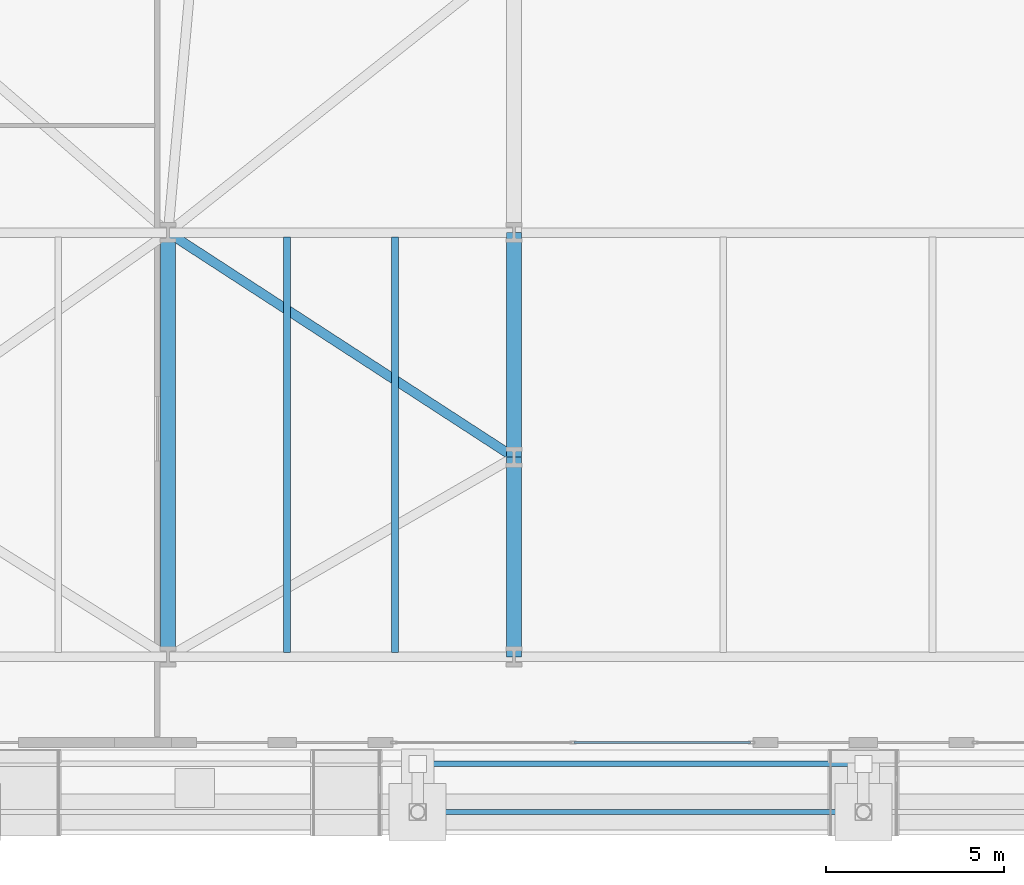
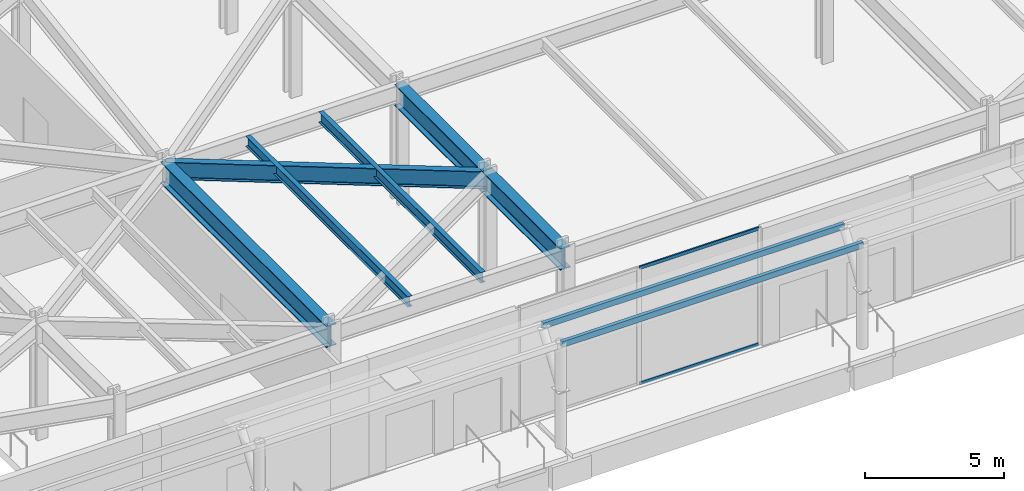
# One storey, part 6 of 31: 6 beams, 4 members, 1 element without a shape of its own.
"""IFC4 building model written with IfcOpenShell, lengths in metres."""

from ifc_helpers import new_model, si_unit, direction, frame, origin, origin_2d, place, context, subcontext, project, spatial, hollow_rectangle, i_section, extrude, material, layer, layer_set, material_profile, profile_set, type_object, element, aggregate, save


model = new_model("IFC4")

# Units and contexts
model_context = context("Model", 3, precision=1e-05, world=origin(), true_north=direction((0.0, 1.0)))
body_context = subcontext(model_context, "Body", "Model", "MODEL_VIEW")
ifc_project = project(units=[si_unit("LENGTHUNIT", "METRE"), si_unit("AREAUNIT", "SQUARE_METRE"), si_unit("VOLUMEUNIT", "CUBIC_METRE"), si_unit("PLANEANGLEUNIT", "RADIAN"), si_unit("MASSUNIT", "GRAM", prefix="KILO")], contexts=[model_context])

# Site, building, storey
site_placement = place(None, origin())
site = spatial("IfcSite", under=ifc_project, at=site_placement, CompositionType="ELEMENT")
building_placement = place(site_placement, origin())
building = spatial("IfcBuilding", under=site, at=building_placement, Name="Kravanh Interchange Tower", CompositionType="ELEMENT")
storey_placement = place(building_placement, origin())
storey = spatial("IfcBuildingStorey", under=building, at=storey_placement, Name="L00", CompositionType="ELEMENT", Elevation=0.0)

# Members
ifc_material_1 = material(Name="Structural Steel S355", Category="steel")
ifc_material_profile_1 = material_profile(ifc_material_1, hollow_rectangle(XDim=0.14990234375, YDim=0.25, WallThickness=0.010009765625, at=origin_2d()), Name="HSS250X150X10")
ifc_profile_set_1 = profile_set([ifc_material_profile_1], Name="Structural Steel S355")
member_type_1 = type_object("IfcMemberType", Name="Canopy Roof Purlin HSS250X150X10 Structural Steel S355", PredefinedType="PURLIN", material=ifc_profile_set_1)
for number, where, z_axis, x_axis, name in (
    (1, (24.5, -0.39990234375, 4.47509765625), (1.0, 0.0, 0.0), (0.0, 1.0, 0.0), "Transit Canopy Purlin 3A"),
    (2, (24.5, -1.75, 4.47509765625), (1.0, 0.0, 0.0), (0.0, 1.0, 0.0), "Transit Canopy Purlin 3B"),
):
    element("IfcMember", number, at=place(storey_placement, frame(where, z_axis=z_axis, x_axis=x_axis)), inside=storey, type_object=member_type_1, Name=name, PredefinedType="PURLIN", context=body_context, shape_type="SweptSolid", body=[
        extrude(hollow_rectangle(XDim=0.14990234375, YDim=0.25, WallThickness=0.010009765625, at=origin_2d()), origin(), (0.0, 0.0, 1.0), 12.5),
    ])

# Curtain wall, members
ifc_material_2 = material(Name="Anodised Bronze Aluminium", Category="aluminium")
ifc_layer = layer(ifc_material_2, 0.179931640625)
ifc_layer_set = layer_set([ifc_layer], Name="Unitised Curtain Wall System CW-POD Podium Concourse")
curtain_wall_type = type_object("IfcCurtainWallType", Name="Unitised Curtain Wall System CW-POD Podium Concourse", PredefinedType="NOTDEFINED", material=ifc_layer_set)
curtain_wall_placement = place(storey_placement, origin())
curtain_wall = element("IfcCurtainWall", 3, at=curtain_wall_placement, inside=storey, type_object=curtain_wall_type, Name="L00 Unitised Curtain Wall CW-L00-01", PredefinedType="NOTDEFINED")
ifc_material_3 = material(Name="Anodised Bronze Aluminium", Category="aluminium")
ifc_material_profile_2 = material_profile(ifc_material_3, hollow_rectangle(XDim=0.06005859375, YDim=0.139892578125, WallThickness=0.00390625, at=origin_2d()), Name="ALU60X140X4")
ifc_profile_set_2 = profile_set([ifc_material_profile_2], Name="Anodised Bronze Aluminium")
member_type_2 = type_object("IfcMemberType", Name="Curtain Wall Transom ALU60X140X4 Bronze", PredefinedType="USERDEFINED", material=ifc_profile_set_2)
member_1_placement = place(storey_placement, frame((28.885009765625, 0.199951171875, 0.030029296875), z_axis=(1.0, 0.0, 0.0), x_axis=(0.0, 1.0, 0.0)))
member_1 = element("IfcMember", 4, at=member_1_placement, type_object=member_type_2, Name="CW-POD transom 2.1", ObjectType="TRANSOM", PredefinedType="USERDEFINED", context=body_context, shape_type="SweptSolid", body=[
    extrude(hollow_rectangle(XDim=0.06005859375, YDim=0.139892578125, WallThickness=0.00390625, at=origin_2d()), origin(), (0.0, 0.0, 1.0), 4.945068359375),
])
member_2_placement = place(storey_placement, frame((28.885009765625, 0.199951171875, 5.10009765625), z_axis=(1.0, 0.0, 0.0), x_axis=(0.0, 1.0, 0.0)))
member_2 = element("IfcMember", 5, at=member_2_placement, type_object=member_type_2, Name="CW-POD transom 2.2", ObjectType="TRANSOM", PredefinedType="USERDEFINED", context=body_context, shape_type="SweptSolid", body=[
    extrude(hollow_rectangle(XDim=0.06005859375, YDim=0.139892578125, WallThickness=0.00390625, at=origin_2d()), origin(), (0.0, 0.0, 1.0), 4.945068359375),
])
aggregate(curtain_wall, [member_1, member_2])

# Beams
ifc_material_4 = material(Name="Structural Steel S450", Category="steel")
ifc_material_profile_3 = material_profile(ifc_material_4, i_section(OverallWidth=0.423095703125, OverallDepth=0.947998046875, WebThickness=0.02392578125, FlangeThickness=0.042724609375, FilletRadius=0.028076171875, at=origin_2d()), Name="W36X302")
ifc_profile_set_3 = profile_set([ifc_material_profile_3], Name="Structural Steel S450")
beam_type_1 = type_object("IfcBeamType", Name="Floor Beam W36X302 Structural Steel S450", PredefinedType="BEAM", material=ifc_profile_set_3)
beam_1_placement = place(storey_placement, frame((17.5, 2.60009765625, 4.656005859375), z_axis=(0.0, 1.0, 0.0), x_axis=(-1.0, 0.0, 0.0)))
element("IfcBeam", 6, at=beam_1_placement, inside=storey, type_object=beam_type_1, Name="L00 Primary Floor Girder 7", PredefinedType="BEAM", context=body_context, shape_type="SweptSolid", body=[
    extrude(i_section(OverallWidth=0.423095703125, OverallDepth=0.947998046875, WebThickness=0.02392578125, FlangeThickness=0.042724609375, FilletRadius=0.028076171875, at=origin_2d()), origin(), (0.0, 0.0, 1.0), 11.89990234375),
])
beam_2_placement = place(storey_placement, frame((27.199951171875, 2.60009765625, 4.656005859375), z_axis=(0.0, 1.0, 0.0), x_axis=(-1.0, 0.0, 0.0)))
element("IfcBeam", 7, at=beam_2_placement, inside=storey, type_object=beam_type_1, Name="L00 Primary Floor Girder 8", PredefinedType="BEAM", context=body_context, shape_type="SweptSolid", body=[
    extrude(i_section(OverallWidth=0.423095703125, OverallDepth=0.947998046875, WebThickness=0.02392578125, FlangeThickness=0.042724609375, FilletRadius=0.028076171875, at=origin_2d()), origin(), (0.0, 0.0, 1.0), 5.599853515625),
])
beam_3_placement = place(storey_placement, frame((27.199951171875, 8.199951171875, 4.656005859375), z_axis=(0.0, 1.0, 0.0), x_axis=(-1.0, 0.0, 0.0)))
element("IfcBeam", 8, at=beam_3_placement, inside=storey, type_object=beam_type_1, Name="L00 Primary Floor Girder 27", PredefinedType="BEAM", context=body_context, shape_type="SweptSolid", body=[
    extrude(i_section(OverallWidth=0.423095703125, OverallDepth=0.947998046875, WebThickness=0.02392578125, FlangeThickness=0.042724609375, FilletRadius=0.028076171875, at=origin_2d()), origin(), (0.0, 0.0, 1.0), 6.300048828125),
])
ifc_material_5 = material(Name="Structural Steel S355", Category="steel")
ifc_material_profile_4 = material_profile(ifc_material_5, i_section(OverallWidth=0.18994140625, OverallDepth=0.45703125, WebThickness=0.009033203125, FlangeThickness=0.014404296875, FilletRadius=0.01806640625, at=origin_2d()), Name="W18X50")
ifc_profile_set_4 = profile_set([ifc_material_profile_4], Name="Structural Steel S355")
beam_type_2 = type_object("IfcBeamType", Name="Floor Joist W18X50 Structural Steel S355", PredefinedType="JOIST", material=ifc_profile_set_4)
for number, where, z_axis, x_axis, name in (
    (9, (20.837890625, 2.728515625, 4.901611328125), (0.0, 1.0, 0.0), (-1.0, 0.0, 0.0), "L00 Secondary Floor Joist 3"),
    (10, (23.862060546875, 2.728515625, 4.901611328125), (0.0, 1.0, 0.0), (-1.0, 0.0, 0.0), "L00 Secondary Floor Joist 4"),
):
    element("IfcBeam", number, at=place(storey_placement, frame(where, z_axis=z_axis, x_axis=x_axis)), inside=storey, type_object=beam_type_2, Name=name, PredefinedType="JOIST", context=body_context, shape_type="SweptSolid", body=[
        extrude(i_section(OverallWidth=0.18994140625, OverallDepth=0.45703125, WebThickness=0.009033203125, FlangeThickness=0.014404296875, FilletRadius=0.01806640625, at=origin_2d()), origin(), (0.0, 0.0, 1.0), 11.64306640625),
    ])
ifc_material_6 = material(Name="Structural Steel S355", Category="steel")
ifc_material_profile_5 = material_profile(ifc_material_6, i_section(OverallWidth=0.26708984375, OverallDepth=0.761962890625, WebThickness=0.014404296875, FlangeThickness=0.021484375, FilletRadius=0.02490234375, at=origin_2d()), Name="W30X116")
ifc_profile_set_5 = profile_set([ifc_material_profile_5], Name="Structural Steel S355")
beam_type_3 = type_object("IfcBeamType", Name="Floor Spandrel W30X116 Structural Steel S355", PredefinedType="SPANDREL", material=ifc_profile_set_5)
beam_4_placement = place(storey_placement, frame((27.199951171875, 8.199951171875, 4.7490234375), z_axis=(-0.838637911458, 0.544689318295, 0.0), x_axis=(-0.544689318295, -0.838637911458, 0.0)))
element("IfcBeam", 11, at=beam_4_placement, inside=storey, type_object=beam_type_3, Name="L00 Perimeter Spandrel 28", PredefinedType="SPANDREL", context=body_context, shape_type="SweptSolid", body=[
    extrude(i_section(OverallWidth=0.26708984375, OverallDepth=0.761962890625, WebThickness=0.014404296875, FlangeThickness=0.021484375, FilletRadius=0.02490234375, at=origin_2d()), origin(), (0.0, 0.0, 1.0), 11.56640625),
])

save(model, "model.ifc")
